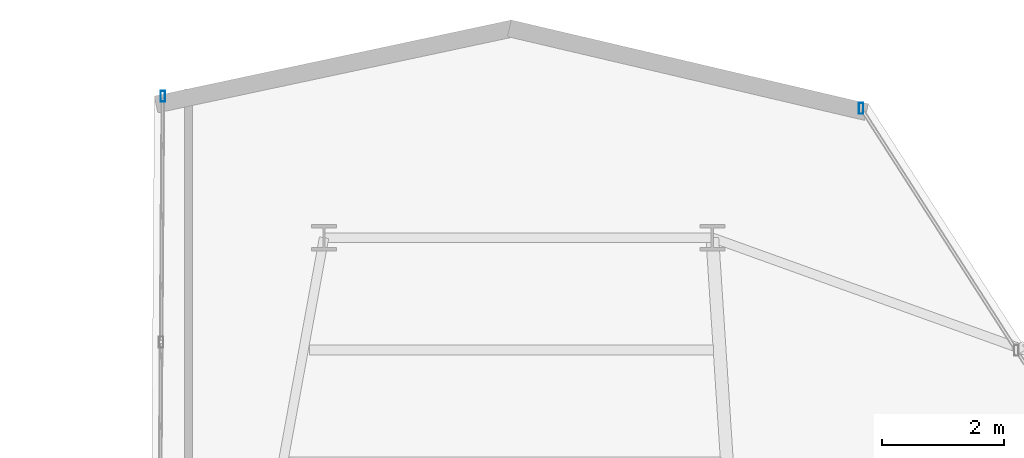
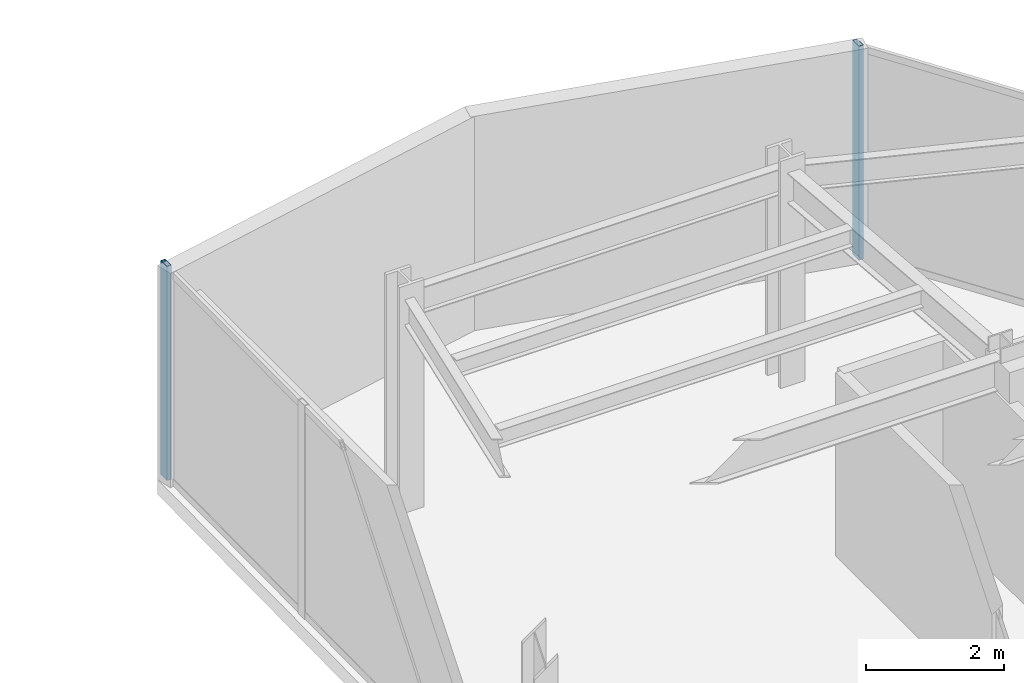
# One storey, part 17 of 23: 2 members, 2 elements without a shape of their own.
"""IFC4 building model written with IfcOpenShell, lengths in metres."""

from ifc_helpers import new_model, si_unit, direction, frame, origin, origin_2d, place, context, subcontext, project, spatial, hollow_rectangle, extrude, material, layer, layer_set, material_profile, profile_set, type_object, element, aggregate, save


model = new_model("IFC4")

# Units and contexts
model_context = context("Model", 3, precision=1e-05, world=origin(), true_north=direction((0.0, 1.0)))
body_context = subcontext(model_context, "Body", "Model", "MODEL_VIEW")
ifc_project = project(units=[si_unit("LENGTHUNIT", "METRE"), si_unit("AREAUNIT", "SQUARE_METRE"), si_unit("VOLUMEUNIT", "CUBIC_METRE"), si_unit("PLANEANGLEUNIT", "RADIAN"), si_unit("MASSUNIT", "GRAM", prefix="KILO")], contexts=[model_context])

# Site, building, storey
site_placement = place(None, origin())
site = spatial("IfcSite", under=ifc_project, at=site_placement, CompositionType="ELEMENT")
building_placement = place(site_placement, origin())
building = spatial("IfcBuilding", under=site, at=building_placement, Name="Veymaron Broadcast Tower", CompositionType="ELEMENT")
storey_placement = place(building_placement, frame((0.0, 0.0, 191.85009765625)))
storey = spatial("IfcBuildingStorey", under=building, at=storey_placement, Name="L44", CompositionType="ELEMENT", Elevation=191.85009765625)

# Curtain wall, member
ifc_material_1 = material(Name="Anodised aluminium AA 6063-T6 and laminated low-E dark glass", Category="aluminium")
ifc_layer = layer(ifc_material_1, 0.179931640625)
ifc_layer_set = layer_set([ifc_layer], Name="Anodised aluminium AA 6063-T6 and laminated low-E dark glass")
curtain_wall_type = type_object("IfcCurtainWallType", Name="CW-SYS-05", PredefinedType="NOTDEFINED", material=ifc_layer_set)
curtain_wall_1_placement = place(storey_placement, origin())
curtain_wall_1 = element("IfcCurtainWall", 1, at=curtain_wall_1_placement, inside=storey, type_object=curtain_wall_type, Name="L44 dark-glass curtain wall CW-L44-E5-1", PredefinedType="NOTDEFINED")
ifc_material_2 = material(Name="Anodised aluminium AA 6063-T6", Category="aluminium")
ifc_material_profile = material_profile(ifc_material_2, hollow_rectangle(XDim=0.074951171875, YDim=0.179931640625, WallThickness=0.0048828125, at=origin_2d()), Name="AL180X75X5")
ifc_profile_set = profile_set([ifc_material_profile], Name="Anodised aluminium AA 6063-T6")
member_type = type_object("IfcMemberType", Name="CW-MUL-02", PredefinedType="MULLION", material=ifc_profile_set)
member_1_placement = place(storey_placement, frame((41.06884765625, 39.87451171875, 0.0), z_axis=(0.0, 0.0, 1.0), x_axis=(1.0, 0.0, 0.0)))
member_1 = element("IfcMember", 2, at=member_1_placement, type_object=member_type, Name="CW-L44-E5-1 mullion 2", PredefinedType="MULLION", context=body_context, shape_type="SweptSolid", body=[
    extrude(hollow_rectangle(XDim=0.074951171875, YDim=0.179931640625, WallThickness=0.0048828125, at=origin_2d()), origin(), (0.0, 0.0, 1.0), 3.789794921875),
])
aggregate(curtain_wall_1, [member_1])

curtain_wall_2_placement = place(storey_placement, origin())
curtain_wall_2 = element("IfcCurtainWall", 3, at=curtain_wall_2_placement, inside=storey, type_object=curtain_wall_type, Name="L44 dark-glass curtain wall CW-L44-E8-1", PredefinedType="NOTDEFINED")
member_2_placement = place(storey_placement, frame((29.603271484375, 40.073974609375, 0.0), z_axis=(0.0, 0.0, 1.0), x_axis=(1.0, 0.0, 0.0)))
member_2 = element("IfcMember", 4, at=member_2_placement, type_object=member_type, Name="CW-L44-E8-1 mullion 0", PredefinedType="MULLION", context=body_context, shape_type="SweptSolid", body=[
    extrude(hollow_rectangle(XDim=0.074951171875, YDim=0.179931640625, WallThickness=0.0048828125, at=origin_2d()), origin(), (0.0, 0.0, 1.0), 3.789794921875),
])
aggregate(curtain_wall_2, [member_2])

save(model, "model.ifc")
